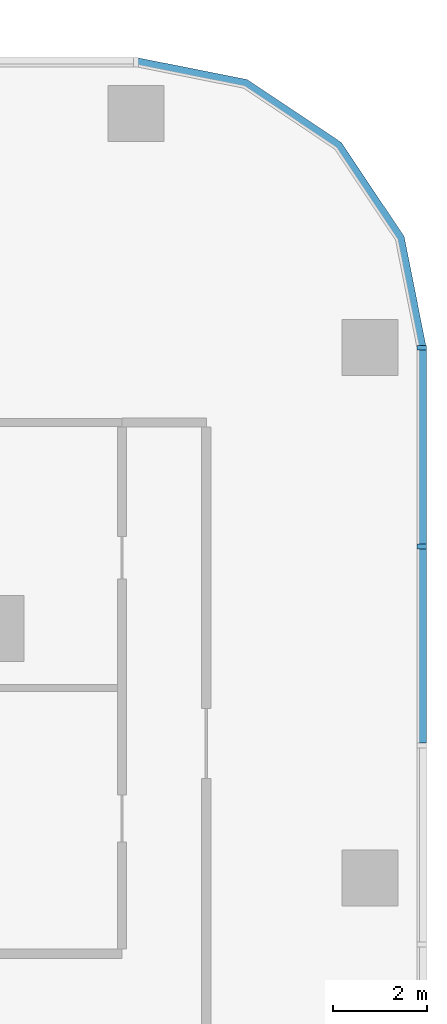
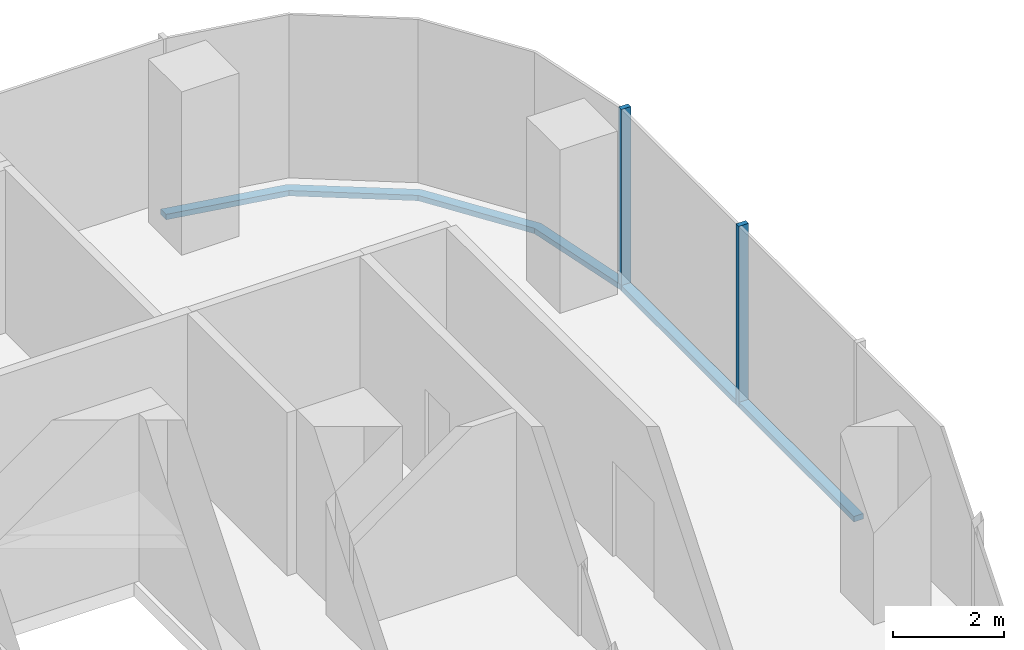
# One storey, part 5 of 14: 5 members, 2 elements without a shape of their own.
"""IFC4 building model written with IfcOpenShell, lengths in metres."""

from ifc_helpers import new_model, si_unit, direction, frame, origin, origin_2d, place, context, subcontext, project, spatial, polyline, rectangle, outline, extrude, material, material_profile, profile_set, type_object, element, aggregate, save


model = new_model("IFC4")

# Units and contexts
model_context = context("Model", 3, precision=1e-05, world=origin(), true_north=direction((0.0, 1.0)))
body_context = subcontext(model_context, "Body", "Model", "MODEL_VIEW")
ifc_project = project(units=[si_unit("LENGTHUNIT", "METRE"), si_unit("AREAUNIT", "SQUARE_METRE"), si_unit("VOLUMEUNIT", "CUBIC_METRE"), si_unit("PLANEANGLEUNIT", "RADIAN"), si_unit("MASSUNIT", "GRAM", prefix="KILO")], contexts=[model_context])

# Site, building, storey
site_placement = place(None, origin())
site = spatial("IfcSite", under=ifc_project, at=site_placement, CompositionType="ELEMENT")
building_placement = place(site_placement, origin())
building = spatial("IfcBuilding", under=site, at=building_placement, Name="Mopane Tessera Tower", CompositionType="ELEMENT")
storey_placement = place(building_placement, frame((0.0, 0.0, 197.0)))
storey = spatial("IfcBuildingStorey", under=building, at=storey_placement, Name="L41", CompositionType="ELEMENT", Elevation=197.0)

# Curtain wall, members
ifc_material_1 = material(Name="Aluminium frame", Category="aluminium")
curtain_wall_type = type_object("IfcCurtainWallType", Name="Unitised curtain wall", PredefinedType="NOTDEFINED", material=ifc_material_1)
curtain_wall_1_placement = place(storey_placement, origin())
curtain_wall_1 = element("IfcCurtainWall", 1, at=curtain_wall_1_placement, inside=storey, type_object=curtain_wall_type, Name="e:cw:L41:E:0", PredefinedType="NOTDEFINED")
ifc_material_2 = material(Name="Aluminium frame", Category="aluminium")
ifc_material_profile_1 = material_profile(ifc_material_2, rectangle(XDim=0.10009765625, YDim=0.199951171875, at=origin_2d()))
ifc_profile_set_1 = profile_set([ifc_material_profile_1], Name="Aluminium frame")
member_type_1 = type_object("IfcMemberType", Name="Aluminium mullion 100 x 200", PredefinedType="MULLION", material=ifc_profile_set_1)
member_1_placement = place(storey_placement, frame((26.300048828125, 12.75, -0.39990234375), z_axis=(0.0, 0.0, 1.0), x_axis=(0.0, 1.0, 0.0)))
member_1 = element("IfcMember", 2, at=member_1_placement, type_object=member_type_1, Name="e:cw:L41:E:0:mu7", PredefinedType="MULLION", context=body_context, shape_type="SweptSolid", body=[
    extrude(rectangle(XDim=0.10009765625, YDim=0.199951171875, at=origin_2d()), origin(), (0.0, 0.0, 1.0), 4.0),
])
member_2_placement = place(storey_placement, frame((26.300048828125, 17.0, -0.39990234375), z_axis=(0.0, 0.0, 1.0), x_axis=(0.0, 1.0, 0.0)))
member_2 = element("IfcMember", 3, at=member_2_placement, type_object=member_type_1, Name="e:cw:L41:E:0:mu8", PredefinedType="MULLION", context=body_context, shape_type="SweptSolid", body=[
    extrude(rectangle(XDim=0.10009765625, YDim=0.199951171875, at=origin_2d()), origin(), (0.0, 0.0, 1.0), 4.0),
])
ifc_material_3 = material(Name="Aluminium frame", Category="aluminium")
ifc_material_profile_2 = material_profile(ifc_material_3, rectangle(XDim=0.199951171875, YDim=0.1201171875, at=origin_2d()))
ifc_profile_set_2 = profile_set([ifc_material_profile_2], Name="Aluminium frame")
member_type_2 = type_object("IfcMemberType", Name="Aluminium transom 200 x 120", PredefinedType="USERDEFINED", material=ifc_profile_set_2)
member_3_placement = place(storey_placement, frame((26.300048828125, 8.550048828125, -0.340087890625), z_axis=(0.0, 1.0, 0.0), x_axis=(-1.0, 0.0, 0.0)))
member_3 = element("IfcMember", 4, at=member_3_placement, type_object=member_type_2, Name="e:cw:L41:E:0:tr6", ObjectType="TRANSOM", PredefinedType="USERDEFINED", context=body_context, shape_type="SweptSolid", body=[
    extrude(rectangle(XDim=0.199951171875, YDim=0.1201171875, at=origin_2d()), origin(), (0.0, 0.0, 1.0), 4.14990234375),
])
member_4_placement = place(storey_placement, frame((26.300048828125, 12.800048828125, -0.340087890625), z_axis=(0.0, 1.0, 0.0), x_axis=(-1.0, 0.0, 0.0)))
member_4 = element("IfcMember", 5, at=member_4_placement, type_object=member_type_2, Name="e:cw:L41:E:0:tr7", ObjectType="TRANSOM", PredefinedType="USERDEFINED", context=body_context, shape_type="SweptSolid", body=[
    extrude(rectangle(XDim=0.199951171875, YDim=0.1201171875, at=origin_2d()), origin(), (0.0, 0.0, 1.0), 4.14990234375),
])
aggregate(curtain_wall_1, [member_1, member_2, member_3, member_4])

# Curtain wall, member
curtain_wall_2_placement = place(storey_placement, origin())
curtain_wall_2 = element("IfcCurtainWall", 6, at=curtain_wall_2_placement, inside=storey, type_object=curtain_wall_type, Name="e:cw:L41:CE", PredefinedType="NOTDEFINED")
member_5_placement = place(storey_placement, frame((0.0, 0.0, -0.39990234375)))
member_5 = element("IfcMember", 7, at=member_5_placement, type_object=member_type_2, Name="e:cw:L41:CE:tr", ObjectType="TRANSOM", PredefinedType="USERDEFINED", context=body_context, shape_type="SweptSolid", body=[
    extrude(outline(polyline([(26.199951171875, 17.0), (25.7431640625, 19.296142578125), (24.442626953125, 21.24267578125), (22.49609375, 22.543212890625), (20.199951171875, 23.0), (20.199951171875, 23.199951171875), (22.57275390625, 22.72802734375), (24.583984375, 21.384033203125), (25.927978515625, 19.37255859375), (26.39990234375, 17.0), (26.199951171875, 17.0)])), origin(), (0.0, 0.0, 1.0), 0.119873046875),
])
aggregate(curtain_wall_2, [member_5])

save(model, "model.ifc")
